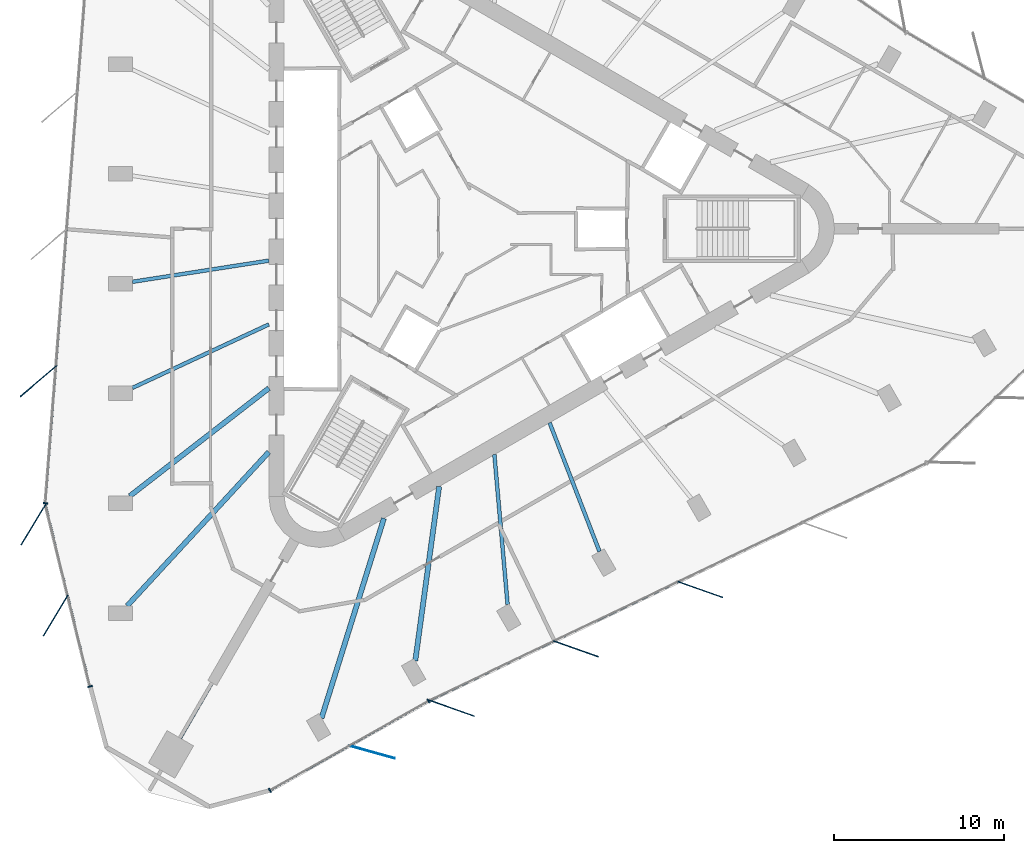
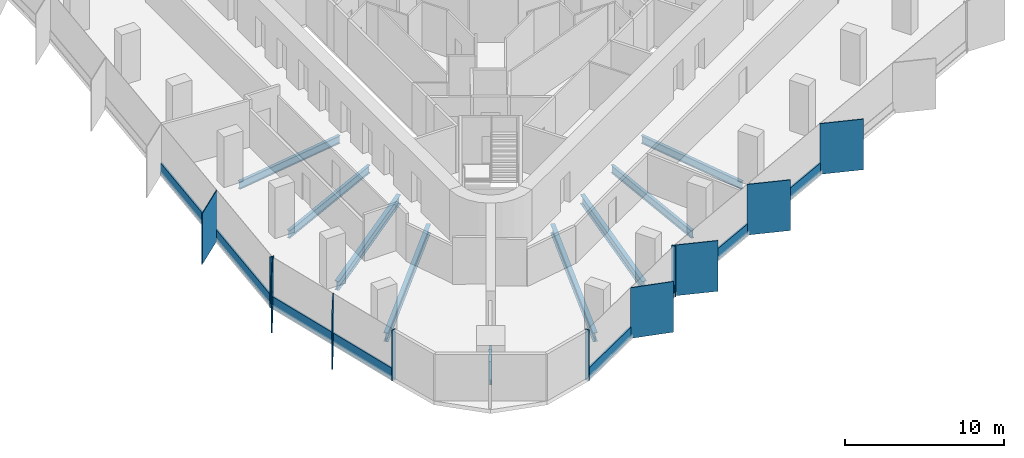
# One storey, part 2 of 14: 19 members, 9 beams, 4 elements without a shape of their own.
"""IFC4 building model written with IfcOpenShell, lengths in metres."""

from ifc_helpers import new_model, si_unit, direction, frame, origin, origin_2d, place, context, subcontext, project, spatial, rectangle, i_section, extrude, material, material_profile, profile_set, type_object, element, aggregate, save


model = new_model("IFC4")

# Units and contexts
model_context = context("Model", 3, precision=1e-05, world=origin(), true_north=direction((0.0, 1.0)))
body_context = subcontext(model_context, "Body", "Model", "MODEL_VIEW")
ifc_project = project(units=[si_unit("LENGTHUNIT", "METRE"), si_unit("AREAUNIT", "SQUARE_METRE"), si_unit("VOLUMEUNIT", "CUBIC_METRE"), si_unit("PLANEANGLEUNIT", "RADIAN"), si_unit("MASSUNIT", "GRAM", prefix="KILO")], contexts=[model_context])

# Site, building, storey
site_placement = place(None, origin())
site = spatial("IfcSite", under=ifc_project, at=site_placement, CompositionType="ELEMENT")
building_placement = place(site_placement, origin())
building = spatial("IfcBuilding", under=site, at=building_placement, Name="Tanit Gate Tower", CompositionType="ELEMENT")
storey_placement = place(building_placement, frame((0.0, 0.0, 306.5)))
storey = spatial("IfcBuildingStorey", under=building, at=storey_placement, Name="L68", CompositionType="ELEMENT", Elevation=306.5)

# Curtain wall, member
ifc_material_1 = material(Name="Aluminium bronze anodised and glass", Category="aluminium")
curtain_wall_type = type_object("IfcCurtainWallType", Name="Curtain wall typical high", PredefinedType="NOTDEFINED", material=ifc_material_1)
curtain_wall_1_placement = place(storey_placement, origin())
curtain_wall_1 = element("IfcCurtainWall", 1, at=curtain_wall_1_placement, inside=storey, type_object=curtain_wall_type, Name="Curtain wall L68 W2", PredefinedType="NOTDEFINED")
ifc_material_2 = material(Name="Aluminium bronze anodised", Category="aluminium")
ifc_material_profile_1 = material_profile(ifc_material_2, rectangle(XDim=2.800048828125, YDim=0.055908203125, at=origin_2d()), Name="56x2800 bronze fin mullion")
ifc_profile_set_1 = profile_set([ifc_material_profile_1], Name="Aluminium bronze anodised")
member_type_1 = type_object("IfcMemberType", Name="FIN MULLION 56x2800 bronze", PredefinedType="MULLION", material=ifc_profile_set_1)
member_1_placement = place(storey_placement, frame((-25.669677734375, -8.974609375, -0.300048828125), z_axis=(0.0, 0.0, 1.0), x_axis=(0.760001580735, 0.649921223903, 0.0)))
member_1 = element("IfcMember", 2, at=member_1_placement, type_object=member_type_1, Name="Fin mullion L68 W2.4", PredefinedType="MULLION", context=body_context, shape_type="SweptSolid", body=[
    extrude(rectangle(XDim=2.800048828125, YDim=0.055908203125, at=origin_2d()), origin(), (0.0, 0.0, 1.0), 3.900146484375),
])

# Curtain wall, members
curtain_wall_2_placement = place(storey_placement, origin())
curtain_wall_2 = element("IfcCurtainWall", 3, at=curtain_wall_2_placement, inside=storey, type_object=curtain_wall_type, Name="Curtain wall L68 W3", PredefinedType="NOTDEFINED")
member_2_placement = place(storey_placement, frame((-25.961669921875, -17.415771484375, -0.300048828125), z_axis=(0.0, 0.0, 1.0), x_axis=(0.519036205299, 0.854752255094, 0.0)))
member_2 = element("IfcMember", 4, at=member_2_placement, type_object=member_type_1, Name="Fin mullion L68 W3.1", PredefinedType="MULLION", context=body_context, shape_type="SweptSolid", body=[
    extrude(rectangle(XDim=2.800048828125, YDim=0.055908203125, at=origin_2d()), origin(), (0.0, 0.0, 1.0), 3.900146484375),
])
member_3_placement = place(storey_placement, frame((-24.6533203125, -22.769287109375, -0.300048828125), z_axis=(0.0, 0.0, 1.0), x_axis=(0.519036205299, 0.854752255094, 0.0)))
member_3 = element("IfcMember", 5, at=member_3_placement, type_object=member_type_1, Name="Fin mullion L68 W3.2", PredefinedType="MULLION", context=body_context, shape_type="SweptSolid", body=[
    extrude(rectangle(XDim=2.800048828125, YDim=0.055908203125, at=origin_2d()), origin(), (0.0, 0.0, 1.0), 3.900146484375),
])

# Curtain wall, member
curtain_wall_3_placement = place(storey_placement, origin())
curtain_wall_3 = element("IfcCurtainWall", 6, at=curtain_wall_3_placement, inside=storey, type_object=curtain_wall_type, Name="Curtain wall L68 SE1", PredefinedType="NOTDEFINED")
member_4_placement = place(storey_placement, frame((-6.040283203125, -30.80322265625, -0.300048828125), z_axis=(0.0, 0.0, 1.0), x_axis=(-0.963250243601, 0.268605599724, 0.0)))
member_4 = element("IfcMember", 7, at=member_4_placement, type_object=member_type_1, Name="Fin mullion L68 SE1.2", PredefinedType="MULLION", context=body_context, shape_type="SweptSolid", body=[
    extrude(rectangle(XDim=2.800048828125, YDim=0.055908203125, at=origin_2d()), origin(), (0.0, 0.0, 1.0), 3.900146484375),
])

# Curtain wall, members
curtain_wall_4_placement = place(storey_placement, origin())
curtain_wall_4 = element("IfcCurtainWall", 8, at=curtain_wall_4_placement, inside=storey, type_object=curtain_wall_type, Name="Curtain wall L68 SE2", PredefinedType="NOTDEFINED")
member_5_placement = place(storey_placement, frame((-1.3310546875, -28.22412109375, -0.300048828125), z_axis=(0.0, 0.0, 1.0), x_axis=(-0.942849080727, 0.333220063881, 0.0)))
member_5 = element("IfcMember", 9, at=member_5_placement, type_object=member_type_1, Name="Fin mullion L68 SE2.1", PredefinedType="MULLION", context=body_context, shape_type="SweptSolid", body=[
    extrude(rectangle(XDim=2.800048828125, YDim=0.055908203125, at=origin_2d()), origin(), (0.0, 0.0, 1.0), 3.900146484375),
])
member_6_placement = place(storey_placement, frame((5.981689453125, -24.73046875, -0.300048828125), z_axis=(0.0, 0.0, 1.0), x_axis=(-0.942849080727, 0.333220063881, 0.0)))
member_6 = element("IfcMember", 10, at=member_6_placement, type_object=member_type_1, Name="Fin mullion L68 SE2.2", PredefinedType="MULLION", context=body_context, shape_type="SweptSolid", body=[
    extrude(rectangle(XDim=2.800048828125, YDim=0.055908203125, at=origin_2d()), origin(), (0.0, 0.0, 1.0), 3.900146484375),
])
member_7_placement = place(storey_placement, frame((13.29443359375, -21.237060546875, -0.300048828125), z_axis=(0.0, 0.0, 1.0), x_axis=(-0.942849080727, 0.333220063881, 0.0)))
member_7 = element("IfcMember", 11, at=member_7_placement, type_object=member_type_1, Name="Fin mullion L68 SE2.3", PredefinedType="MULLION", context=body_context, shape_type="SweptSolid", body=[
    extrude(rectangle(XDim=2.800048828125, YDim=0.055908203125, at=origin_2d()), origin(), (0.0, 0.0, 1.0), 3.900146484375),
])

# Member
ifc_material_3 = material(Name="Aluminium bronze anodised", Category="aluminium")
ifc_material_profile_2 = material_profile(ifc_material_3, rectangle(XDim=0.280029296875, YDim=0.080078125, at=origin_2d()), Name="80x280 bronze mullion")
ifc_profile_set_2 = profile_set([ifc_material_profile_2], Name="Aluminium bronze anodised")
member_type_2 = type_object("IfcMemberType", Name="Mullion 80x280 typical high", PredefinedType="MULLION", material=ifc_profile_set_2)
member_8_placement = place(storey_placement, frame((-25.251708984375, -16.157470703125, -0.300048828125), z_axis=(0.0, 0.0, 1.0), x_axis=(0.996965976109, -0.077838566791, 0.0)))
member_8 = element("IfcMember", 12, at=member_8_placement, type_object=member_type_2, Name="Mullion L68 W2.5", PredefinedType="MULLION", context=body_context, shape_type="SweptSolid", body=[
    extrude(rectangle(XDim=0.280029296875, YDim=0.080078125, at=origin_2d()), origin(), (0.0, 0.0, 1.0), 3.900146484375),
])

member_9_placement = place(storey_placement, frame((-22.628662109375, -26.943115234375, -0.300048828125), z_axis=(0.0, 0.0, 1.0), x_axis=(0.97141513626, 0.237387095363, 0.0)))
member_9 = element("IfcMember", 13, at=member_9_placement, type_object=member_type_2, Name="Mullion L68 W3.3", PredefinedType="MULLION", context=body_context, shape_type="SweptSolid", body=[
    extrude(rectangle(XDim=0.280029296875, YDim=0.080078125, at=origin_2d()), origin(), (0.0, 0.0, 1.0), 3.900146484375),
])

member_10_placement = place(storey_placement, frame((-12.0361328125, -33.063720703125, -0.300048828125), z_axis=(0.0, 0.0, 1.0), x_axis=(-0.4911879382, 0.871053620259, 0.0)))
member_10 = element("IfcMember", 14, at=member_10_placement, type_object=member_type_2, Name="Mullion L68 SE1.1", PredefinedType="MULLION", context=body_context, shape_type="SweptSolid", body=[
    extrude(rectangle(XDim=0.280029296875, YDim=0.080078125, at=origin_2d()), origin(), (0.0, 0.0, 1.0), 3.900146484375),
])

member_11_placement = place(storey_placement, frame((-2.703369140625, -27.801025390625, -0.300048828125), z_axis=(0.0, 0.0, 1.0), x_axis=(-0.4911879382, 0.871053620259, 0.0)))
member_11 = element("IfcMember", 15, at=member_11_placement, type_object=member_type_2, Name="Mullion L68 SE1.3", PredefinedType="MULLION", context=body_context, shape_type="SweptSolid", body=[
    extrude(rectangle(XDim=0.280029296875, YDim=0.080078125, at=origin_2d()), origin(), (0.0, 0.0, 1.0), 3.900146484375),
])

# Beams
ifc_material_4 = material(Name="Steel S355", Category="steel")
ifc_material_profile_3 = material_profile(ifc_material_4, i_section(OverallWidth=0.300048828125, OverallDepth=0.68994140625, WebThickness=0.014404296875, FlangeThickness=0.027099609375, FilletRadius=0.027099609375, at=origin_2d()), Name="HEA 700")
ifc_profile_set_3 = profile_set([ifc_material_profile_3], Name="Steel S355")
beam_type_1 = type_object("IfcBeamType", Name="RADIAL GIRDER HEA 700 S355", PredefinedType="BEAM", material=ifc_profile_set_3)
beam_1_placement = place(storey_placement, frame((-20.28759765625, -15.734619140625, -0.64501953125), z_axis=(0.790189054489, 0.612863164308, 0.0), x_axis=(-0.612863164308, 0.790189054489, 0.0)))
element("IfcBeam", 16, at=beam_1_placement, inside=storey, type_object=beam_type_1, Name="RADIAL GIRDER", PredefinedType="BEAM", context=body_context, shape_type="SweptSolid", body=[
    extrude(i_section(OverallWidth=0.300048828125, OverallDepth=0.68994140625, WebThickness=0.014404296875, FlangeThickness=0.027099609375, FilletRadius=0.027099609375, at=origin_2d()), origin(), (0.0, 0.0, 1.0), 10.35888671875),
])
beam_2_placement = place(storey_placement, frame((-20.444091796875, -22.198486328125, -0.64501953125), z_axis=(0.677443856772, 0.735574483599, 0.0), x_axis=(-0.735574483599, 0.677443856772, 0.0)))
element("IfcBeam", 17, at=beam_2_placement, inside=storey, type_object=beam_type_1, Name="RADIAL GIRDER", PredefinedType="BEAM", context=body_context, shape_type="SweptSolid", body=[
    extrude(i_section(OverallWidth=0.300048828125, OverallDepth=0.68994140625, WebThickness=0.014404296875, FlangeThickness=0.027099609375, FilletRadius=0.027099609375, at=origin_2d()), origin(), (0.0, 0.0, 1.0), 12.31396484375),
])
beam_3_placement = place(storey_placement, frame((-9.00244140625, -28.804443359375, -0.64501953125), z_axis=(0.298298699316, 0.954472569531, 0.0), x_axis=(-0.954472569531, 0.298298699316, 0.0)))
element("IfcBeam", 18, at=beam_3_placement, inside=storey, type_object=beam_type_1, Name="RADIAL GIRDER", PredefinedType="BEAM", context=body_context, shape_type="SweptSolid", body=[
    extrude(i_section(OverallWidth=0.300048828125, OverallDepth=0.68994140625, WebThickness=0.014404296875, FlangeThickness=0.027099609375, FilletRadius=0.027099609375, at=origin_2d()), origin(), (0.0, 0.0, 1.0), 12.314208984375),
])
beam_4_placement = place(storey_placement, frame((-3.48291015625, -25.436767578125, -0.64501953125), z_axis=(0.135657975489, 0.990755728566, 0.0), x_axis=(-0.990755728566, 0.135657975489, 0.0)))
element("IfcBeam", 19, at=beam_4_placement, inside=storey, type_object=beam_type_1, Name="RADIAL GIRDER", PredefinedType="BEAM", context=body_context, shape_type="SweptSolid", body=[
    extrude(i_section(OverallWidth=0.300048828125, OverallDepth=0.68994140625, WebThickness=0.014404296875, FlangeThickness=0.027099609375, FilletRadius=0.027099609375, at=origin_2d()), origin(), (0.0, 0.0, 1.0), 10.35888671875),
])
ifc_material_5 = material(Name="Steel S355", Category="steel")
ifc_material_profile_4 = material_profile(ifc_material_5, i_section(OverallWidth=0.179931640625, OverallDepth=0.39990234375, WebThickness=0.008544921875, FlangeThickness=0.013427734375, FilletRadius=0.02099609375, at=origin_2d()), Name="IPE 400")
ifc_profile_set_4 = profile_set([ifc_material_profile_4], Name="Steel S355")
beam_type_2 = type_object("IfcBeamType", Name="RADIAL GIRDER IPE 400 S355", PredefinedType="BEAM", material=ifc_profile_set_4)
beam_5_placement = place(storey_placement, frame((-17.3154296875, -29.9912109375, -0.5), z_axis=(0.500007177232, 0.866021259968, 0.0), x_axis=(-0.866021259968, 0.500007177232, 0.0)))
element("IfcBeam", 20, at=beam_5_placement, inside=storey, type_object=beam_type_2, Name="RADIAL GIRDER", PredefinedType="BEAM", context=body_context, shape_type="SweptSolid", body=[
    extrude(i_section(OverallWidth=0.179931640625, OverallDepth=0.39990234375, WebThickness=0.008544921875, FlangeThickness=0.013427734375, FilletRadius=0.02099609375, at=origin_2d()), origin(), (0.0, 0.0, 1.0), 3.7607421875),
])
ifc_material_6 = material(Name="Steel S355", Category="steel")
ifc_material_profile_5 = material_profile(ifc_material_6, i_section(OverallWidth=0.219970703125, OverallDepth=0.60009765625, WebThickness=0.011962890625, FlangeThickness=0.01904296875, FilletRadius=0.02392578125, at=origin_2d()), Name="IPE 600")
ifc_profile_set_5 = profile_set([ifc_material_profile_5], Name="Steel S355")
beam_type_3 = type_object("IfcBeamType", Name="RADIAL GIRDER IPE 600 S355", PredefinedType="BEAM", material=ifc_profile_set_5)
beam_6_placement = place(storey_placement, frame((-20.135498046875, -3.123291015625, -0.60009765625), z_axis=(0.988182767287, 0.153280195844, 0.0), x_axis=(-0.153280195844, 0.988182767287, 0.0)))
element("IfcBeam", 21, at=beam_6_placement, inside=storey, type_object=beam_type_3, Name="RADIAL GIRDER", PredefinedType="BEAM", context=body_context, shape_type="SweptSolid", body=[
    extrude(i_section(OverallWidth=0.219970703125, OverallDepth=0.60009765625, WebThickness=0.011962890625, FlangeThickness=0.01904296875, FilletRadius=0.02392578125, at=origin_2d()), origin(), (0.0, 0.0, 1.0), 8.12939453125),
])
for number, where, z_axis, x_axis, name in (
    (22, (-20.135498046875, -9.3701171875, -0.60009765625), (0.906633128224, 0.421919863015, 0.0), (-0.421919863015, 0.906633128224, 0.0), "RADIAL GIRDER"),
    (23, (1.952880859375, -22.122802734375, -0.60009765625), (-0.087921954634, 0.996127366301, 0.0), (-0.996127366301, -0.087921954634, 0.0), "RADIAL GIRDER"),
):
    element("IfcBeam", number, at=place(storey_placement, frame(where, z_axis=z_axis, x_axis=x_axis)), inside=storey, type_object=beam_type_3, Name=name, PredefinedType="BEAM", context=body_context, shape_type="SweptSolid", body=[
        extrude(i_section(OverallWidth=0.219970703125, OverallDepth=0.60009765625, WebThickness=0.011962890625, FlangeThickness=0.01904296875, FilletRadius=0.02392578125, at=origin_2d()), origin(), (0.0, 0.0, 1.0), 8.86083984375),
    ])
beam_7_placement = place(storey_placement, frame((7.36279296875, -18.99951171875, -0.60009765625), z_axis=(-0.361334449338, 0.932436279711, 0.0), x_axis=(-0.932436279711, -0.361334449338, 0.0)))
element("IfcBeam", 24, at=beam_7_placement, inside=storey, type_object=beam_type_3, Name="RADIAL GIRDER", PredefinedType="BEAM", context=body_context, shape_type="SweptSolid", body=[
    extrude(i_section(OverallWidth=0.219970703125, OverallDepth=0.60009765625, WebThickness=0.011962890625, FlangeThickness=0.01904296875, FilletRadius=0.02392578125, at=origin_2d()), origin(), (0.0, 0.0, 1.0), 8.129638671875),
])

# Member
ifc_material_7 = material(Name="Aluminium bronze anodised", Category="aluminium")
ifc_material_profile_6 = material_profile(ifc_material_7, rectangle(XDim=0.1201171875, YDim=0.89990234375, at=origin_2d()), Name="120x900 bronze transom")
ifc_profile_set_6 = profile_set([ifc_material_profile_6], Name="Aluminium bronze anodised")
member_type_3 = type_object("IfcMemberType", Name="Transom 120x900 typical high", PredefinedType="USERDEFINED", material=ifc_profile_set_6)
member_12_placement = place(storey_placement, frame((-23.9931640625, -0.03759765625, 0.14990234375), z_axis=(-0.077827186267, -0.996966864584, 0.0), x_axis=(0.996966864584, -0.077827186267, 0.0)))
member_12 = element("IfcMember", 25, at=member_12_placement, type_object=member_type_3, Name="Transom L68 W2.3", ObjectType="TRANSOM", PredefinedType="USERDEFINED", context=body_context, shape_type="SweptSolid", body=[
    extrude(rectangle(XDim=0.1201171875, YDim=0.89990234375, at=origin_2d()), origin(), (0.0, 0.0, 1.0), 8.0244140625),
])

member_13_placement = place(storey_placement, frame((-24.623779296875, -8.117431640625, 0.14990234375), z_axis=(-0.077857426888, -0.996964503419, 0.0), x_axis=(0.996964503419, -0.077857426888, 0.0)))
member_13 = element("IfcMember", 26, at=member_13_placement, type_object=member_type_3, Name="Transom L68 W2.4", ObjectType="TRANSOM", PredefinedType="USERDEFINED", context=body_context, shape_type="SweptSolid", body=[
    extrude(rectangle(XDim=0.1201171875, YDim=0.89990234375, at=origin_2d()), origin(), (0.0, 0.0, 1.0), 8.0244140625),
])

aggregate(curtain_wall_1, [member_1, member_8, member_12, member_13])

member_14_placement = place(storey_placement, frame((-25.23583984375, -16.27490234375, 0.14990234375), z_axis=(0.237391820307, -0.971413981602, 0.0), x_axis=(0.971413981602, 0.237391820307, 0.0)))
member_14 = element("IfcMember", 27, at=member_14_placement, type_object=member_type_3, Name="Transom L68 W3.1", ObjectType="TRANSOM", PredefinedType="USERDEFINED", context=body_context, shape_type="SweptSolid", body=[
    extrude(rectangle(XDim=0.1201171875, YDim=0.89990234375, at=origin_2d()), origin(), (0.0, 0.0, 1.0), 5.43115234375),
])

member_15_placement = place(storey_placement, frame((-23.927490234375, -21.62841796875, 0.14990234375), z_axis=(0.237391820307, -0.971413981602, 0.0), x_axis=(0.971413981602, 0.237391820307, 0.0)))
member_15 = element("IfcMember", 28, at=member_15_placement, type_object=member_type_3, Name="Transom L68 W3.2", ObjectType="TRANSOM", PredefinedType="USERDEFINED", context=body_context, shape_type="SweptSolid", body=[
    extrude(rectangle(XDim=0.1201171875, YDim=0.89990234375, at=origin_2d()), origin(), (0.0, 0.0, 1.0), 5.43115234375),
])

aggregate(curtain_wall_2, [member_2, member_3, member_9, member_14, member_15])

member_16_placement = place(storey_placement, frame((-12.001220703125, -33.044189453125, 0.14990234375), z_axis=(0.871056124782, 0.49118349675, 0.0), x_axis=(-0.49118349675, 0.871056124782, 0.0)))
member_16 = element("IfcMember", 29, at=member_16_placement, type_object=member_type_3, Name="Transom L68 SE1.1", ObjectType="TRANSOM", PredefinedType="USERDEFINED", context=body_context, shape_type="SweptSolid", body=[
    extrude(rectangle(XDim=0.1201171875, YDim=0.89990234375, at=origin_2d()), origin(), (0.0, 0.0, 1.0), 5.277099609375),
])

member_17_placement = place(storey_placement, frame((-7.3349609375, -30.412841796875, 0.14990234375), z_axis=(0.871056124782, 0.49118349675, 0.0), x_axis=(-0.49118349675, 0.871056124782, 0.0)))
member_17 = element("IfcMember", 30, at=member_17_placement, type_object=member_type_3, Name="Transom L68 SE1.2", ObjectType="TRANSOM", PredefinedType="USERDEFINED", context=body_context, shape_type="SweptSolid", body=[
    extrude(rectangle(XDim=0.1201171875, YDim=0.89990234375, at=origin_2d()), origin(), (0.0, 0.0, 1.0), 5.277099609375),
])

aggregate(curtain_wall_3, [member_10, member_4, member_11, member_16, member_17])

member_18_placement = place(storey_placement, frame((-2.596435546875, -27.7470703125, 0.14990234375), z_axis=(0.902309207174, 0.431089427671, 0.0), x_axis=(-0.431089427671, 0.902309207174, 0.0)))
member_18 = element("IfcMember", 31, at=member_18_placement, type_object=member_type_3, Name="Transom L68 SE2.1", ObjectType="TRANSOM", PredefinedType="USERDEFINED", context=body_context, shape_type="SweptSolid", body=[
    extrude(rectangle(XDim=0.1201171875, YDim=0.89990234375, at=origin_2d()), origin(), (0.0, 0.0, 1.0), 8.0244140625),
])

member_19_placement = place(storey_placement, frame((4.71630859375, -24.25341796875, 0.14990234375), z_axis=(0.902309207174, 0.431089427671, 0.0), x_axis=(-0.431089427671, 0.902309207174, 0.0)))
member_19 = element("IfcMember", 32, at=member_19_placement, type_object=member_type_3, Name="Transom L68 SE2.2", ObjectType="TRANSOM", PredefinedType="USERDEFINED", context=body_context, shape_type="SweptSolid", body=[
    extrude(rectangle(XDim=0.1201171875, YDim=0.89990234375, at=origin_2d()), origin(), (0.0, 0.0, 1.0), 8.0244140625),
])

aggregate(curtain_wall_4, [member_5, member_6, member_7, member_18, member_19])

save(model, "model.ifc")
